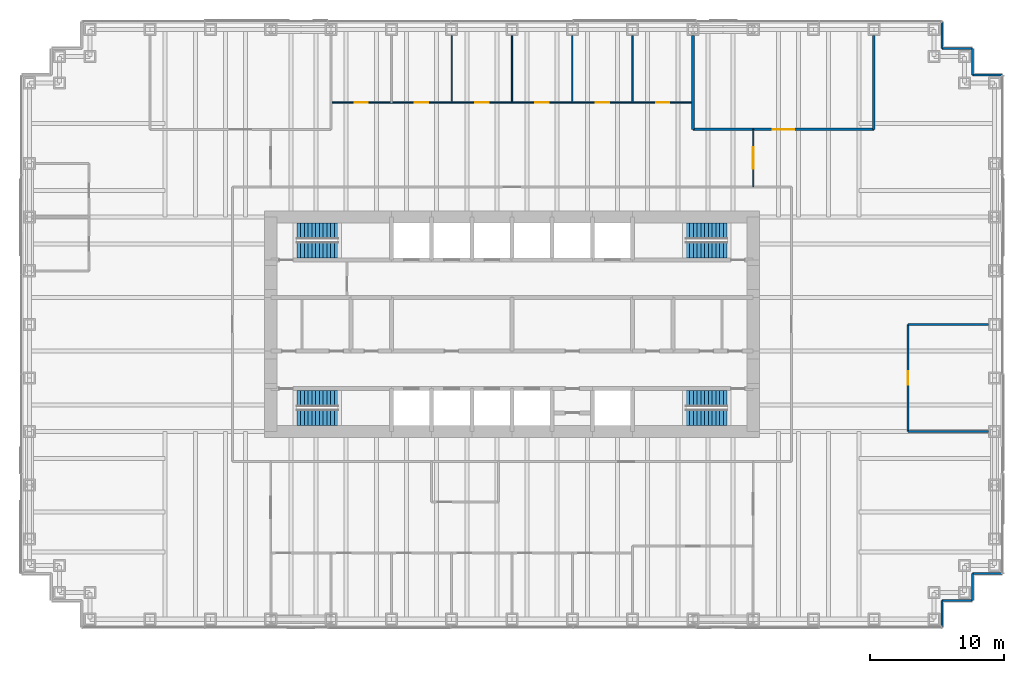
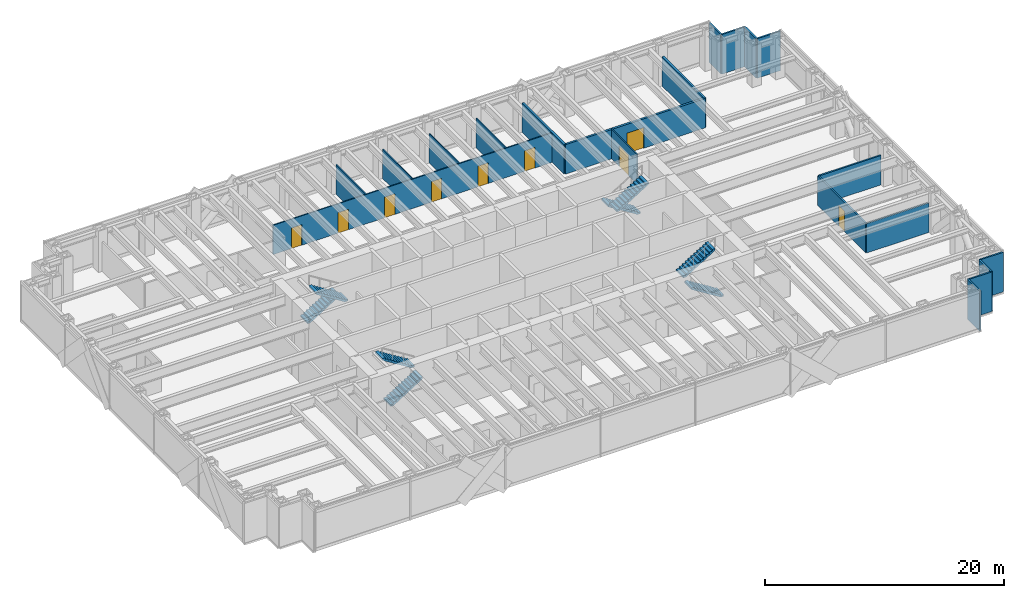
# One storey, part 14 of 15: 20 walls, 9 doors, 8 stair flights, 9 openings, 4 elements without a shape of their own.
"""IFC4 building model written with IfcOpenShell, lengths in metres."""

import ifcopenshell
import ifcopenshell.guid

model = None  # the IFC model being written
_history = None  # IfcOwnerHistory: only IFC2X3 demands one
_inside = {}  # id of a spatial element -> (the spatial element, [elements in it])
_under = {}  # id of a project, library or spatial element -> (it, [spatial elements below it])
_declared = {}  # id of a project -> (the project, [libraries it declares])
_typed = {}  # id of a type object -> (the type object, [elements of that type])
_made_of = {}  # id of a material, layer set ... -> (it, [elements and type objects made of it])


def new_model(schema):
    """Start an empty IFC model of exactly this schema.

    Asked for "IFC4X3", IfcOpenShell would pick the latest addendum, in which some entities
    have other attributes; the version numbers below select the first issue.
    IFC2X3 requires an IfcOwnerHistory on every rooted entity: one is made here for all.
    """
    global model, _history
    if schema == "IFC4X3":
        model = ifcopenshell.file(schema_version=(4, 3, 0, 0))
    else:
        model = ifcopenshell.file(schema=schema)
    _inside.clear()
    _under.clear()
    _declared.clear()
    _typed.clear()
    _made_of.clear()
    _history = None
    if model.schema == "IFC2X3":
        org = make("IfcOrganization", Name="unknown")
        user = make(
            "IfcPersonAndOrganization",
            ThePerson=make("IfcPerson", FamilyName="unknown"),
            TheOrganization=org,
        )
        app = make(
            "IfcApplication",
            ApplicationDeveloper=org,
            Version="unknown",
            ApplicationFullName="unknown",
            ApplicationIdentifier="unknown",
        )
        _history = make(
            "IfcOwnerHistory",
            OwningUser=user,
            OwningApplication=app,
            ChangeAction="ADDED",
            CreationDate=0,
        )
    return model


def make(cls, **values):
    """One entity of the class cls with the attributes given. An attribute that is None is left unset."""
    return model.create_entity(
        cls, **{name: value for name, value in values.items() if value is not None}
    )


def rooted(cls, **values):
    """An entity with a GlobalId (a new one), such as an element, a storey or a relation."""
    return make(cls, GlobalId=ifcopenshell.guid.new(), OwnerHistory=_history, **values)


def si_unit(unit_type, name, prefix=None):
    """IfcSIUnit, for example si_unit("LENGTHUNIT", "METRE", prefix="MILLI")."""
    return make("IfcSIUnit", UnitType=unit_type, Prefix=prefix, Name=name)


def assignment(units):
    """IfcUnitAssignment: the units of a project."""
    return None if units is None else make("IfcUnitAssignment", Units=units)


def point(xyz):
    """IfcCartesianPoint."""
    return None if xyz is None else make("IfcCartesianPoint", Coordinates=xyz)


def direction(xyz):
    """IfcDirection."""
    return None if xyz is None else make("IfcDirection", DirectionRatios=xyz)


def frame(location, z_axis=None, x_axis=None):
    """IfcAxis2Placement3D, a coordinate frame: its origin and axes. An axis left out is left unset."""
    return make(
        "IfcAxis2Placement3D",
        Location=point(location),
        Axis=direction(z_axis),
        RefDirection=direction(x_axis),
    )


def frame_2d(location, x_axis=None):
    """IfcAxis2Placement2D, a coordinate frame in the plane: its origin and x axis."""
    return make(
        "IfcAxis2Placement2D", Location=point(location), RefDirection=direction(x_axis)
    )


def origin():
    """The frame at (0, 0, 0) with its axes left unset."""
    return frame((0.0, 0.0, 0.0))


def place(relative_to, where):
    """IfcLocalPlacement: puts the frame where relative to a parent placement (None: the world)."""
    return make(
        "IfcLocalPlacement", PlacementRelTo=relative_to, RelativePlacement=where
    )


def context(
    kind, dimensions, precision=None, world=None, true_north=None, identifier=None
):
    """IfcGeometricRepresentationContext, for example the 3D "Model" context."""
    return make(
        "IfcGeometricRepresentationContext",
        ContextIdentifier=identifier,
        ContextType=kind,
        CoordinateSpaceDimension=dimensions,
        Precision=precision,
        WorldCoordinateSystem=world,
        TrueNorth=true_north,
    )


def subcontext(parent, identifier, kind, view, scale=None):
    """IfcGeometricRepresentationSubContext, for example "Body" below "Model"."""
    return make(
        "IfcGeometricRepresentationSubContext",
        ContextIdentifier=identifier,
        ContextType=kind,
        ParentContext=parent,
        TargetScale=scale,
        TargetView=view,
    )


def project(units=None, contexts=None):
    """IfcProject with its units and contexts."""
    return rooted(
        "IfcProject",
        Name="project",
        RepresentationContexts=contexts,
        UnitsInContext=assignment(units),
    )


def spatial(cls, under=None, at=None, **own):
    """A site, building, storey or space (cls), placed at a placement, below another one or the project."""
    s = rooted(cls, ObjectPlacement=at, **own)
    if under is not None:
        _under.setdefault(under.id(), (under, []))[1].append(s)
    return s


def polyline(points):
    """IfcPolyline through the points."""
    return make("IfcPolyline", Points=[point(p) for p in points])


def profile(cls, at=None, kind="AREA", **sizes):
    """A parametric profile (cls). Its sizes go by their IFC names, for example OverallWidth=200.0."""
    return make(cls, ProfileType=kind, Position=at, **sizes)


def rectangle(**sizes):
    """IfcRectangleProfileDef."""
    return profile("IfcRectangleProfileDef", **sizes)


def outline(outer, holes=None, kind="AREA"):
    """IfcArbitraryClosedProfileDef: a profile drawn as a closed curve; with holes, ...WithVoids."""
    if holes is None:
        return make("IfcArbitraryClosedProfileDef", ProfileType=kind, OuterCurve=outer)
    return make(
        "IfcArbitraryProfileDefWithVoids",
        ProfileType=kind,
        OuterCurve=outer,
        InnerCurves=holes,
    )


def extrude(swept, where, along, depth):
    """IfcExtrudedAreaSolid: the profile swept, set in the frame where, extruded along a direction by depth."""
    return make(
        "IfcExtrudedAreaSolid",
        SweptArea=swept,
        Position=where,
        ExtrudedDirection=direction(along),
        Depth=depth,
    )


def shape(context_of_items, identifier, shape_type, items):
    """IfcShapeRepresentation: the items that make up one representation, for example the "Body"."""
    return make(
        "IfcShapeRepresentation",
        ContextOfItems=context_of_items,
        RepresentationIdentifier=identifier,
        RepresentationType=shape_type,
        Items=items,
    )


def material(Name=None, Category=None):
    """IfcMaterial."""
    return make("IfcMaterial", Name=Name, Category=Category)


def layer(
    of_material, thickness, ventilated=None, Name=None, Category=None, Priority=None
):
    """IfcMaterialLayer: one layer of a wall or slab, of a material (None: an air gap)."""
    return make(
        "IfcMaterialLayer",
        Material=of_material,
        LayerThickness=thickness,
        IsVentilated=ventilated,
        Name=Name,
        Category=Category,
        Priority=Priority,
    )


def layer_set(layers, Name=None):
    """IfcMaterialLayerSet."""
    return make("IfcMaterialLayerSet", MaterialLayers=layers, LayerSetName=Name)


def made_of(thing, what):
    """Note that an element or type object is made of a material, layer set ...; save() writes the relation."""
    if what is not None:
        _made_of.setdefault(what.id(), (what, []))[1].append(thing)
    return thing


def type_object(cls, material=None, **own):
    """A type object (cls), such as IfcWallType, which elements share."""
    return made_of(rooted(cls, **own), material)


def element(
    cls,
    number,
    at=None,
    inside=None,
    cuts=None,
    type_object=None,
    material=None,
    context=None,
    identifier="Body",
    shape_type=None,
    held_by="IfcProductDefinitionShape",
    body=None,
    shapes=None,
    **own,
):
    """One element of the class cls, such as IfcWall. Its Tag is "e" and its number.

    at: its placement. inside: the storey or other place that contains it. cuts: it is an
    opening in that element (IfcRelVoidsElement). A single representation is given by context,
    identifier, shape_type and body (its items); several are given by shapes. held_by: the class
    of the entity that holds the representations. save() writes the other relations.
    """
    e = rooted(cls, Tag="e%d" % number, ObjectPlacement=at, **own)
    if body is not None:
        shapes = [shape(context, identifier, shape_type, body)]
    if shapes is not None:
        e.Representation = make(held_by, Representations=shapes)
    if inside is not None:
        _inside.setdefault(inside.id(), (inside, []))[1].append(e)
    if cuts is not None:
        rooted(
            "IfcRelVoidsElement", RelatingBuildingElement=cuts, RelatedOpeningElement=e
        )
    if type_object is not None:
        _typed.setdefault(type_object.id(), (type_object, []))[1].append(e)
    return made_of(e, material)


def fill(opening, filler):
    """IfcRelFillsElement: the door or window that sits in an opening."""
    return rooted(
        "IfcRelFillsElement",
        RelatingOpeningElement=opening,
        RelatedBuildingElement=filler,
    )


def aggregate(whole, parts):
    """IfcRelAggregates: a whole, such as a stair, and the parts it consists of."""
    return rooted("IfcRelAggregates", RelatingObject=whole, RelatedObjects=parts)


def save(model, path):
    """Write the relations noted so far, then the file.

    IfcRelAggregates (storeys below a building ...), IfcRelContainedInSpatialStructure (elements
    in a storey), IfcRelDefinesByType, IfcRelAssociatesMaterial and IfcRelDeclares: one each for
    every whole, place, type object, material and project.
    """
    for whole, parts in _under.values():
        aggregate(whole, parts)
    for where, things in _inside.values():
        rooted(
            "IfcRelContainedInSpatialStructure",
            RelatedElements=things,
            RelatingStructure=where,
        )
    for kind, things in _typed.values():
        rooted("IfcRelDefinesByType", RelatedObjects=things, RelatingType=kind)
    for what, things in _made_of.values():
        rooted("IfcRelAssociatesMaterial", RelatedObjects=things, RelatingMaterial=what)
    for by, libraries in _declared.values():
        rooted("IfcRelDeclares", RelatingContext=by, RelatedDefinitions=libraries)
    model.write(path)


model = new_model("IFC4")

# Units and contexts
model_context = context("Model", 3, precision=1e-05, world=origin(), true_north=direction((0.0, 1.0)))
body_context = subcontext(model_context, "Body", "Model", "MODEL_VIEW")
ifc_project = project(units=[si_unit("LENGTHUNIT", "METRE"), si_unit("AREAUNIT", "SQUARE_METRE"), si_unit("VOLUMEUNIT", "CUBIC_METRE"), si_unit("PLANEANGLEUNIT", "RADIAN"), si_unit("MASSUNIT", "GRAM", prefix="KILO")], contexts=[model_context])

# Site, building, storey
site_placement = place(None, origin())
site = spatial("IfcSite", under=ifc_project, at=site_placement, CompositionType="ELEMENT")
building_placement = place(site_placement, origin())
building = spatial("IfcBuilding", under=site, at=building_placement, Name="Rheinbord Bourse Tower", CompositionType="ELEMENT")
storey_placement = place(building_placement, frame((0.0, 0.0, 108.89990234375)))
storey = spatial("IfcBuildingStorey", under=building, at=storey_placement, Name="L23", CompositionType="ELEMENT", Elevation=108.89990234375)

# Wall, opening, door
ifc_material_1 = material(Name="Acoustic gypsum board partition", Category="gypsum board")
ifc_layer_1 = layer(ifc_material_1, 0.199951171875)
ifc_layer_set_1 = layer_set([ifc_layer_1], Name="ACOUSTIC PARTITION 200")
wall_type_1 = type_object("IfcWallType", Name="ACOUSTIC PARTITION 200", PredefinedType="PARTITIONING", material=ifc_layer_set_1)
wall_1_placement = place(storey_placement, frame((49.5, 38.550048828125, 0.0), z_axis=(0.0, 0.0, 1.0), x_axis=(1.0, 0.0, 0.0)))
wall_1 = element("IfcWall", 1, at=wall_1_placement, inside=storey, type_object=wall_type_1, Name="Partition L23-14", PredefinedType="PARTITIONING", context=body_context, shape_type="SweptSolid", body=[
    extrude(rectangle(XDim=13.5, YDim=0.199951171875, at=frame_2d((6.75, 0.0))), origin(), (0.0, 0.0, 1.0), 3.0),
])
opening_1_placement = place(wall_1_placement, frame((5.949951171875, 0.0, 0.0)))
opening_1 = element("IfcOpeningElement", 2, at=opening_1_placement, cuts=wall_1, Name="Opening 23D13", PredefinedType="OPENING", context=body_context, shape_type="SweptSolid", body=[
    extrude(rectangle(XDim=1.60009765625, YDim=2.10009765625, at=frame_2d((0.800048828125, 1.050048828125))), frame((0.0, 0.10986328125, 0.0), z_axis=(0.0, -1.0, 0.0), x_axis=(1.0, 0.0, 0.0)), (0.0, 0.0, 1.0), 0.219970703125),
])
ifc_material_2 = material(Name="Timber door", Category="wood")
door_type_1 = type_object("IfcDoorType", Name="DOUBLE ROOM DOOR 1600", OperationType="DOUBLE_DOOR_DOUBLE_SWING", PredefinedType="DOOR", material=ifc_material_2)
door_1_placement = place(opening_1_placement, origin())
door_1 = element("IfcDoor", 3, at=door_1_placement, inside=storey, type_object=door_type_1, Name="Conference room door L23", OperationType="SINGLE_SWING_LEFT", OverallHeight=2.10009765625, OverallWidth=1.60009765625, PredefinedType="DOOR", context=body_context, shape_type="SweptSolid", body=[
    extrude(rectangle(XDim=1.60009765625, YDim=2.10009765625, at=frame_2d((0.800048828125, 1.050048828125))), frame((0.0, 0.02490234375, 0.0), z_axis=(0.0, -1.0, 0.0), x_axis=(1.0, 0.0, 0.0)), (0.0, 0.0, 1.0), 0.050048828125),
])
fill(opening_1, door_1)

# Walls
for number, where, z_axis, x_axis, name in (
    (4, (49.5, 38.550048828125, 0.0), (0.0, 0.0, 1.0), (0.0, 1.0, 0.0), "Partition L23-36"),
    (5, (63.0, 38.550048828125, 0.0), (0.0, 0.0, 1.0), (0.0, 1.0, 0.0), "Partition L23-41"),
):
    element("IfcWall", number, at=place(storey_placement, frame(where, z_axis=z_axis, x_axis=x_axis)), inside=storey, type_object=wall_type_1, Name=name, PredefinedType="PARTITIONING", context=body_context, shape_type="SweptSolid", body=[
        extrude(rectangle(XDim=7.0, YDim=0.199951171875, at=frame_2d((3.5, 0.0))), origin(), (0.0, 0.0, 1.0), 3.0),
    ])
ifc_material_3 = material(Name="Black metal rainscreen panel", Category="aluminium")
ifc_layer_2 = layer(ifc_material_3, 0.14990234375)
ifc_layer_set_2 = layer_set([ifc_layer_2], Name="CORNER PIER CLADDING 150")
wall_type_2 = type_object("IfcWallType", Name="CORNER PIER CLADDING 150", PredefinedType="ELEMENTEDWALL", material=ifc_layer_set_2)
wall_2_placement = place(storey_placement, frame((68.10009765625, 1.39990234375, 0.0), z_axis=(0.0, 0.0, 1.0), x_axis=(0.0, 1.0, 0.0)))
element("IfcWall", 6, at=wall_2_placement, inside=storey, type_object=wall_type_2, Name="Corner pier cladding L23 2", PredefinedType="ELEMENTEDWALL", context=body_context, shape_type="SweptSolid", body=[
    extrude(rectangle(XDim=2.0, YDim=0.14990234375, at=frame_2d((1.0, 0.0))), origin(), (0.0, 0.0, 1.0), 4.0400390625),
])
wall_3_placement = place(storey_placement, frame((68.10009765625, 3.39990234375, 0.0), z_axis=(0.0, 0.0, 1.0), x_axis=(1.0, 0.0, 0.0)))
element("IfcWall", 7, at=wall_3_placement, inside=storey, type_object=wall_type_2, Name="Corner pier cladding L23 3", PredefinedType="ELEMENTEDWALL", context=body_context, shape_type="SweptSolid", body=[
    extrude(rectangle(XDim=2.25, YDim=0.14990234375, at=frame_2d((1.125, 0.0))), origin(), (0.0, 0.0, 1.0), 4.0400390625),
])
wall_4_placement = place(storey_placement, frame((70.35009765625, 3.39990234375, 0.0), z_axis=(0.0, 0.0, 1.0), x_axis=(0.0, 1.0, 0.0)))
element("IfcWall", 8, at=wall_4_placement, inside=storey, type_object=wall_type_2, Name="Corner pier cladding L23 4", PredefinedType="ELEMENTEDWALL", context=body_context, shape_type="SweptSolid", body=[
    extrude(rectangle(XDim=2.0, YDim=0.14990234375, at=frame_2d((1.0, 0.0))), origin(), (0.0, 0.0, 1.0), 4.0400390625),
])
for number, where, z_axis, x_axis, name in (
    (9, (70.35009765625, 5.39990234375, 0.0), (0.0, 0.0, 1.0), (1.0, 0.0, 0.0), "Corner pier cladding L23 5"),
    (10, (72.60009765625, 42.60009765625, 0.0), (0.0, 0.0, 1.0), (-1.0, 0.0, 0.0), "Corner pier cladding L23 7"),
):
    element("IfcWall", number, at=place(storey_placement, frame(where, z_axis=z_axis, x_axis=x_axis)), inside=storey, type_object=wall_type_2, Name=name, PredefinedType="ELEMENTEDWALL", context=body_context, shape_type="SweptSolid", body=[
        extrude(rectangle(XDim=2.25, YDim=0.14990234375, at=frame_2d((1.125, 0.0))), origin(), (0.0, 0.0, 1.0), 4.0400390625),
    ])
wall_5_placement = place(storey_placement, frame((70.35009765625, 42.60009765625, 0.0), z_axis=(0.0, 0.0, 1.0), x_axis=(0.0, 1.0, 0.0)))
element("IfcWall", 11, at=wall_5_placement, inside=storey, type_object=wall_type_2, Name="Corner pier cladding L23 8", PredefinedType="ELEMENTEDWALL", context=body_context, shape_type="SweptSolid", body=[
    extrude(rectangle(XDim=2.0, YDim=0.14990234375, at=frame_2d((1.0, 0.0))), origin(), (0.0, 0.0, 1.0), 4.0400390625),
])
wall_6_placement = place(storey_placement, frame((70.35009765625, 44.60009765625, 0.0), z_axis=(0.0, 0.0, 1.0), x_axis=(-1.0, 0.0, 0.0)))
element("IfcWall", 12, at=wall_6_placement, inside=storey, type_object=wall_type_2, Name="Corner pier cladding L23 9", PredefinedType="ELEMENTEDWALL", context=body_context, shape_type="SweptSolid", body=[
    extrude(rectangle(XDim=2.25, YDim=0.14990234375, at=frame_2d((1.125, 0.0))), origin(), (0.0, 0.0, 1.0), 4.0400390625),
])
wall_7_placement = place(storey_placement, frame((68.10009765625, 44.60009765625, 0.0), z_axis=(0.0, 0.0, 1.0), x_axis=(0.0, 1.0, 0.0)))
element("IfcWall", 13, at=wall_7_placement, inside=storey, type_object=wall_type_2, Name="Corner pier cladding L23 10", PredefinedType="ELEMENTEDWALL", context=body_context, shape_type="SweptSolid", body=[
    extrude(rectangle(XDim=2.0, YDim=0.14990234375, at=frame_2d((1.0, 0.0))), origin(), (0.0, 0.0, 1.0), 4.0400390625),
])

# Wall, openings, doors
ifc_material_4 = material(Name="Toughened laminated glass partition", Category="glass")
ifc_layer_3 = layer(ifc_material_4, 0.10009765625)
ifc_layer_set_3 = layer_set([ifc_layer_3], Name="GLAZED PARTITION 100")
wall_type_3 = type_object("IfcWallType", Name="GLAZED PARTITION 100", PredefinedType="PARTITIONING", material=ifc_layer_set_3)
wall_8_placement = place(storey_placement, frame((22.5, 40.550048828125, 0.0), z_axis=(0.0, 0.0, 1.0), x_axis=(1.0, 0.0, 0.0)))
wall_8 = element("IfcWall", 14, at=wall_8_placement, inside=storey, type_object=wall_type_3, Name="Partition L23-15", PredefinedType="PARTITIONING", context=body_context, shape_type="SweptSolid", body=[
    extrude(rectangle(XDim=27.0, YDim=0.10009765625, at=frame_2d((13.5, 0.0))), origin(), (0.0, 0.0, 1.0), 3.0),
])
opening_2_placement = place(wall_8_placement, frame((1.75, 0.0, 0.0)))
opening_2 = element("IfcOpeningElement", 15, at=opening_2_placement, cuts=wall_8, Name="Opening 23D14", PredefinedType="OPENING", context=body_context, shape_type="SweptSolid", body=[
    extrude(rectangle(XDim=1.0, YDim=2.10009765625, at=frame_2d((0.5, 1.050048828125))), frame((0.0, 0.06005859375, 0.0), z_axis=(0.0, -1.0, 0.0), x_axis=(1.0, 0.0, 0.0)), (0.0, 0.0, 1.0), 0.1201171875),
])
opening_3_placement = place(wall_8_placement, frame((6.25, 0.0, 0.0)))
opening_3 = element("IfcOpeningElement", 16, at=opening_3_placement, cuts=wall_8, Name="Opening 23D15", PredefinedType="OPENING", context=body_context, shape_type="SweptSolid", body=[
    extrude(rectangle(XDim=1.0, YDim=2.10009765625, at=frame_2d((0.5, 1.050048828125))), frame((0.0, 0.06005859375, 0.0), z_axis=(0.0, -1.0, 0.0), x_axis=(1.0, 0.0, 0.0)), (0.0, 0.0, 1.0), 0.1201171875),
])
opening_4_placement = place(wall_8_placement, frame((10.75, 0.0, 0.0)))
opening_4 = element("IfcOpeningElement", 17, at=opening_4_placement, cuts=wall_8, Name="Opening 23D16", PredefinedType="OPENING", context=body_context, shape_type="SweptSolid", body=[
    extrude(rectangle(XDim=1.0, YDim=2.10009765625, at=frame_2d((0.5, 1.050048828125))), frame((0.0, 0.06005859375, 0.0), z_axis=(0.0, -1.0, 0.0), x_axis=(1.0, 0.0, 0.0)), (0.0, 0.0, 1.0), 0.1201171875),
])
opening_5_placement = place(wall_8_placement, frame((15.25, 0.0, 0.0)))
opening_5 = element("IfcOpeningElement", 18, at=opening_5_placement, cuts=wall_8, Name="Opening 23D17", PredefinedType="OPENING", context=body_context, shape_type="SweptSolid", body=[
    extrude(rectangle(XDim=1.0, YDim=2.10009765625, at=frame_2d((0.5, 1.050048828125))), frame((0.0, 0.06005859375, 0.0), z_axis=(0.0, -1.0, 0.0), x_axis=(1.0, 0.0, 0.0)), (0.0, 0.0, 1.0), 0.1201171875),
])
opening_6_placement = place(wall_8_placement, frame((19.75, 0.0, 0.0)))
opening_6 = element("IfcOpeningElement", 19, at=opening_6_placement, cuts=wall_8, Name="Opening 23D18", PredefinedType="OPENING", context=body_context, shape_type="SweptSolid", body=[
    extrude(rectangle(XDim=1.0, YDim=2.10009765625, at=frame_2d((0.5, 1.050048828125))), frame((0.0, 0.06005859375, 0.0), z_axis=(0.0, -1.0, 0.0), x_axis=(1.0, 0.0, 0.0)), (0.0, 0.0, 1.0), 0.1201171875),
])
opening_7_placement = place(wall_8_placement, frame((24.25, 0.0, 0.0)))
opening_7 = element("IfcOpeningElement", 20, at=opening_7_placement, cuts=wall_8, Name="Opening 23D19", PredefinedType="OPENING", context=body_context, shape_type="SweptSolid", body=[
    extrude(rectangle(XDim=1.0, YDim=2.10009765625, at=frame_2d((0.5, 1.050048828125))), frame((0.0, 0.06005859375, 0.0), z_axis=(0.0, -1.0, 0.0), x_axis=(1.0, 0.0, 0.0)), (0.0, 0.0, 1.0), 0.1201171875),
])
ifc_material_5 = material(Name="Timber door", Category="wood")
door_type_2 = type_object("IfcDoorType", Name="ROOM DOOR 1000", OperationType="SINGLE_SWING_LEFT", PredefinedType="DOOR", material=ifc_material_5)
door_2_placement = place(opening_2_placement, origin())
door_2 = element("IfcDoor", 21, at=door_2_placement, inside=storey, type_object=door_type_2, Name="Meeting room door L23", OperationType="SINGLE_SWING_LEFT", OverallHeight=2.10009765625, OverallWidth=1.0, PredefinedType="DOOR", context=body_context, shape_type="SweptSolid", body=[
    extrude(rectangle(XDim=1.0, YDim=2.10009765625, at=frame_2d((0.5, 1.050048828125))), frame((0.0, 0.02490234375, 0.0), z_axis=(0.0, -1.0, 0.0), x_axis=(1.0, 0.0, 0.0)), (0.0, 0.0, 1.0), 0.050048828125),
])
fill(opening_2, door_2)
door_3_placement = place(opening_3_placement, origin())
door_3 = element("IfcDoor", 22, at=door_3_placement, inside=storey, type_object=door_type_2, Name="Meeting room door L23", OperationType="SINGLE_SWING_LEFT", OverallHeight=2.10009765625, OverallWidth=1.0, PredefinedType="DOOR", context=body_context, shape_type="SweptSolid", body=[
    extrude(rectangle(XDim=1.0, YDim=2.10009765625, at=frame_2d((0.5, 1.050048828125))), frame((0.0, 0.02490234375, 0.0), z_axis=(0.0, -1.0, 0.0), x_axis=(1.0, 0.0, 0.0)), (0.0, 0.0, 1.0), 0.050048828125),
])
fill(opening_3, door_3)
door_4_placement = place(opening_4_placement, origin())
door_4 = element("IfcDoor", 23, at=door_4_placement, inside=storey, type_object=door_type_2, Name="Meeting room door L23", OperationType="SINGLE_SWING_LEFT", OverallHeight=2.10009765625, OverallWidth=1.0, PredefinedType="DOOR", context=body_context, shape_type="SweptSolid", body=[
    extrude(rectangle(XDim=1.0, YDim=2.10009765625, at=frame_2d((0.5, 1.050048828125))), frame((0.0, 0.02490234375, 0.0), z_axis=(0.0, -1.0, 0.0), x_axis=(1.0, 0.0, 0.0)), (0.0, 0.0, 1.0), 0.050048828125),
])
fill(opening_4, door_4)
door_5_placement = place(opening_5_placement, origin())
door_5 = element("IfcDoor", 24, at=door_5_placement, inside=storey, type_object=door_type_2, Name="Meeting room door L23", OperationType="SINGLE_SWING_RIGHT", OverallHeight=2.10009765625, OverallWidth=1.0, PredefinedType="DOOR", context=body_context, shape_type="SweptSolid", body=[
    extrude(rectangle(XDim=1.0, YDim=2.10009765625, at=frame_2d((0.5, 1.050048828125))), frame((0.0, 0.02490234375, 0.0), z_axis=(0.0, -1.0, 0.0), x_axis=(1.0, 0.0, 0.0)), (0.0, 0.0, 1.0), 0.050048828125),
])
fill(opening_5, door_5)
door_6_placement = place(opening_6_placement, origin())
door_6 = element("IfcDoor", 25, at=door_6_placement, inside=storey, type_object=door_type_2, Name="Meeting room door L23", OperationType="SINGLE_SWING_RIGHT", OverallHeight=2.10009765625, OverallWidth=1.0, PredefinedType="DOOR", context=body_context, shape_type="SweptSolid", body=[
    extrude(rectangle(XDim=1.0, YDim=2.10009765625, at=frame_2d((0.5, 1.050048828125))), frame((0.0, 0.02490234375, 0.0), z_axis=(0.0, -1.0, 0.0), x_axis=(1.0, 0.0, 0.0)), (0.0, 0.0, 1.0), 0.050048828125),
])
fill(opening_6, door_6)
door_7_placement = place(opening_7_placement, origin())
door_7 = element("IfcDoor", 26, at=door_7_placement, inside=storey, type_object=door_type_2, Name="Meeting room door L23", OperationType="SINGLE_SWING_RIGHT", OverallHeight=2.10009765625, OverallWidth=1.0, PredefinedType="DOOR", context=body_context, shape_type="SweptSolid", body=[
    extrude(rectangle(XDim=1.0, YDim=2.10009765625, at=frame_2d((0.5, 1.050048828125))), frame((0.0, 0.02490234375, 0.0), z_axis=(0.0, -1.0, 0.0), x_axis=(1.0, 0.0, 0.0)), (0.0, 0.0, 1.0), 0.050048828125),
])
fill(opening_7, door_7)

# Walls
for number, where, z_axis, x_axis, name in (
    (27, (31.5, 40.550048828125, 0.0), (0.0, 0.0, 1.0), (0.0, 1.0, 0.0), "Partition L23-28"),
    (28, (36.0, 40.550048828125, 0.0), (0.0, 0.0, 1.0), (0.0, 1.0, 0.0), "Partition L23-31"),
    (29, (40.5, 40.550048828125, 0.0), (0.0, 0.0, 1.0), (0.0, 1.0, 0.0), "Partition L23-33"),
    (30, (45.0, 40.550048828125, 0.0), (0.0, 0.0, 1.0), (0.0, 1.0, 0.0), "Partition L23-35"),
):
    element("IfcWall", number, at=place(storey_placement, frame(where, z_axis=z_axis, x_axis=x_axis)), inside=storey, type_object=wall_type_3, Name=name, PredefinedType="PARTITIONING", context=body_context, shape_type="SweptSolid", body=[
        extrude(rectangle(XDim=5.0, YDim=0.10009765625, at=frame_2d((2.5, 0.0))), origin(), (0.0, 0.0, 1.0), 3.0),
    ])

# Wall, opening, door
wall_9_placement = place(storey_placement, frame((54.0, 34.25, 0.0), z_axis=(0.0, 0.0, 1.0), x_axis=(0.0, 1.0, 0.0)))
wall_9 = element("IfcWall", 31, at=wall_9_placement, inside=storey, type_object=wall_type_3, Name="Partition L23-39", PredefinedType="PARTITIONING", context=body_context, shape_type="SweptSolid", body=[
    extrude(rectangle(XDim=4.300048828125, YDim=0.10009765625, at=frame_2d((2.14990234375, 0.0))), origin(), (0.0, 0.0, 1.0), 3.0),
])
opening_8_placement = place(wall_9_placement, frame((1.35009765625, 0.0, 0.0)))
opening_8 = element("IfcOpeningElement", 32, at=opening_8_placement, cuts=wall_9, Name="Opening 23D23", PredefinedType="OPENING", context=body_context, shape_type="SweptSolid", body=[
    extrude(rectangle(XDim=1.60009765625, YDim=2.10009765625, at=frame_2d((0.800048828125, 1.050048828125))), frame((0.0, 0.06005859375, 0.0), z_axis=(0.0, -1.0, 0.0), x_axis=(1.0, 0.0, 0.0)), (0.0, 0.0, 1.0), 0.1201171875),
])
door_8_placement = place(opening_8_placement, origin())
door_8 = element("IfcDoor", 33, at=door_8_placement, inside=storey, type_object=door_type_1, Name="Open area door L23", OperationType="SINGLE_SWING_LEFT", OverallHeight=2.10009765625, OverallWidth=1.60009765625, PredefinedType="DOOR", context=body_context, shape_type="SweptSolid", body=[
    extrude(rectangle(XDim=1.60009765625, YDim=2.10009765625, at=frame_2d((0.800048828125, 1.050048828125))), frame((0.0, 0.02490234375, 0.0), z_axis=(0.0, -1.0, 0.0), x_axis=(1.0, 0.0, 0.0)), (0.0, 0.0, 1.0), 0.050048828125),
])
fill(opening_8, door_8)

# Walls
ifc_material_6 = material(Name="Gypsum board partition", Category="gypsum board")
ifc_layer_4 = layer(ifc_material_6, 0.14990234375)
ifc_layer_set_4 = layer_set([ifc_layer_4], Name="PARTITION 150")
wall_type_4 = type_object("IfcWallType", Name="PARTITION 150", PredefinedType="PARTITIONING", material=ifc_layer_set_4)
for number, where, z_axis, x_axis, name in (
    (34, (65.550048828125, 16.0, 0.0), (0.0, 0.0, 1.0), (1.0, 0.0, 0.0), "Partition L23-07"),
    (35, (65.550048828125, 24.0, 0.0), (0.0, 0.0, 1.0), (1.0, 0.0, 0.0), "Partition L23-08"),
):
    element("IfcWall", number, at=place(storey_placement, frame(where, z_axis=z_axis, x_axis=x_axis)), inside=storey, type_object=wall_type_4, Name=name, PredefinedType="PARTITIONING", context=body_context, shape_type="SweptSolid", body=[
        extrude(rectangle(XDim=6.0, YDim=0.14990234375, at=frame_2d((3.0, 0.0))), origin(), (0.0, 0.0, 1.0), 3.0),
    ])

# Wall, opening, door
wall_10_placement = place(storey_placement, frame((65.550048828125, 16.0, 0.0), z_axis=(0.0, 0.0, 1.0), x_axis=(0.0, 1.0, 0.0)))
wall_10 = element("IfcWall", 36, at=wall_10_placement, inside=storey, type_object=wall_type_4, Name="Partition L23-42", PredefinedType="PARTITIONING", context=body_context, shape_type="SweptSolid", body=[
    extrude(rectangle(XDim=8.0, YDim=0.14990234375, at=frame_2d((4.0, 0.0))), origin(), (0.0, 0.0, 1.0), 3.0),
])
opening_9_placement = place(wall_10_placement, frame((3.5, 0.0, 0.0)))
opening_9 = element("IfcOpeningElement", 37, at=opening_9_placement, cuts=wall_10, Name="Opening 23D09", PredefinedType="OPENING", context=body_context, shape_type="SweptSolid", body=[
    extrude(rectangle(XDim=1.0, YDim=2.10009765625, at=frame_2d((0.5, 1.050048828125))), frame((0.0, 0.0849609375, 0.0), z_axis=(0.0, -1.0, 0.0), x_axis=(1.0, 0.0, 0.0)), (0.0, 0.0, 1.0), 0.169921875),
])
door_9_placement = place(opening_9_placement, origin())
door_9 = element("IfcDoor", 38, at=door_9_placement, inside=storey, type_object=door_type_2, Name="Pantry door L23", OperationType="SINGLE_SWING_LEFT", OverallHeight=2.10009765625, OverallWidth=1.0, PredefinedType="DOOR", context=body_context, shape_type="SweptSolid", body=[
    extrude(rectangle(XDim=1.0, YDim=2.10009765625, at=frame_2d((0.5, 1.050048828125))), frame((0.0, 0.02490234375, 0.0), z_axis=(0.0, -1.0, 0.0), x_axis=(1.0, 0.0, 0.0)), (0.0, 0.0, 1.0), 0.050048828125),
])
fill(opening_9, door_9)

# Stair, stair flights
ifc_material_7 = material(Name="Concrete C30/37", Category="concrete")
stair_type = type_object("IfcStairType", Name="CORE STAIR HALF TURN 4200", PredefinedType="HALF_TURN_STAIR", material=ifc_material_7)
stair_1_placement = place(storey_placement, origin())
stair_1 = element("IfcStair", 39, at=stair_1_placement, inside=storey, type_object=stair_type, Name="Stair ST1 L23, type CS6", PredefinedType="HALF_TURN_STAIR")
ifc_material_8 = material(Name="Concrete C30/37", Category="concrete")
stair_flight_type = type_object("IfcStairFlightType", Name="CORE STAIR FLIGHT 1200, 12 RISERS", PredefinedType="STRAIGHT", material=ifc_material_8)
stair_flight_1_placement = place(storey_placement, frame((19.949951171875, 17.050048828125, 0.0), z_axis=(0.0, 0.0, 1.0), x_axis=(1.0, 0.0, 0.0)))
stair_flight_1 = element("IfcStairFlight", 40, at=stair_flight_1_placement, type_object=stair_flight_type, Name="STAIR L23 ST1 F1", NumberOfRisers=12, NumberOfTreads=11, PredefinedType="STRAIGHT", RiserHeight=0.175, TreadLength=0.28, context=body_context, shape_type="SweptSolid", body=[
    extrude(outline(polyline([(0.0, 0.0), (0.0, 0.175048828125), (0.280029296875, 0.175048828125), (0.280029296875, 0.35009765625), (0.56005859375, 0.35009765625), (0.56005859375, 0.52490234375), (0.840087890625, 0.52490234375), (0.840087890625, 0.699951171875), (1.1201171875, 0.699951171875), (1.1201171875, 0.875), (1.39990234375, 0.875), (1.39990234375, 1.050048828125), (1.679931640625, 1.050048828125), (1.679931640625, 1.22509765625), (1.9599609375, 1.22509765625), (1.9599609375, 1.39990234375), (2.239990234375, 1.39990234375), (2.239990234375, 1.574951171875), (2.52001953125, 1.574951171875), (2.52001953125, 1.75), (2.800048828125, 1.75), (2.800048828125, 1.925048828125), (3.080078125, 1.925048828125), (3.080078125, 2.10009765625), (3.080078125, 1.748291015625), (0.28271484375, 0.0), (0.0, 0.0)])), frame((0.0, 0.60009765625, 0.0), z_axis=(0.0, -1.0, 0.0), x_axis=(1.0, 0.0, 0.0)), (0.0, 0.0, 1.0), 1.199951171875),
])
stair_flight_2_placement = place(storey_placement, frame((23.030029296875, 18.449951171875, 2.10009765625), z_axis=(0.0, 0.0, 1.0), x_axis=(-1.0, 0.0, 0.0)))
stair_flight_2 = element("IfcStairFlight", 41, at=stair_flight_2_placement, type_object=stair_flight_type, Name="STAIR L23 ST1 F2", NumberOfRisers=12, NumberOfTreads=11, PredefinedType="STRAIGHT", RiserHeight=0.175, TreadLength=0.28, context=body_context, shape_type="SweptSolid", body=[
    extrude(outline(polyline([(0.0, 0.0), (0.0, 0.175048828125), (0.280029296875, 0.175048828125), (0.280029296875, 0.35009765625), (0.56005859375, 0.35009765625), (0.56005859375, 0.52490234375), (0.840087890625, 0.52490234375), (0.840087890625, 0.699951171875), (1.1201171875, 0.699951171875), (1.1201171875, 0.875), (1.39990234375, 0.875), (1.39990234375, 1.050048828125), (1.679931640625, 1.050048828125), (1.679931640625, 1.22509765625), (1.9599609375, 1.22509765625), (1.9599609375, 1.39990234375), (2.239990234375, 1.39990234375), (2.239990234375, 1.574951171875), (2.52001953125, 1.574951171875), (2.52001953125, 1.75), (2.800048828125, 1.75), (2.800048828125, 1.925048828125), (3.080078125, 1.925048828125), (3.080078125, 2.10009765625), (3.080078125, 1.748291015625), (0.28271484375, 0.0), (0.0, 0.0)])), frame((0.0, 0.60009765625, 0.0), z_axis=(0.0, -1.0, 0.0), x_axis=(1.0, 0.0, 0.0)), (0.0, 0.0, 1.0), 1.199951171875),
])
aggregate(stair_1, [stair_flight_1, stair_flight_2])

stair_2_placement = place(storey_placement, origin())
stair_2 = element("IfcStair", 42, at=stair_2_placement, inside=storey, type_object=stair_type, Name="Stair ST2 L23, type CS6", PredefinedType="HALF_TURN_STAIR")
stair_flight_3_placement = place(storey_placement, frame((19.949951171875, 30.949951171875, 0.0), z_axis=(0.0, 0.0, 1.0), x_axis=(1.0, 0.0, 0.0)))
stair_flight_3 = element("IfcStairFlight", 43, at=stair_flight_3_placement, type_object=stair_flight_type, Name="STAIR L23 ST2 F1", NumberOfRisers=12, NumberOfTreads=11, PredefinedType="STRAIGHT", RiserHeight=0.175, TreadLength=0.28, context=body_context, shape_type="SweptSolid", body=[
    extrude(outline(polyline([(0.0, 0.0), (0.0, 0.175048828125), (0.280029296875, 0.175048828125), (0.280029296875, 0.35009765625), (0.56005859375, 0.35009765625), (0.56005859375, 0.52490234375), (0.840087890625, 0.52490234375), (0.840087890625, 0.699951171875), (1.1201171875, 0.699951171875), (1.1201171875, 0.875), (1.39990234375, 0.875), (1.39990234375, 1.050048828125), (1.679931640625, 1.050048828125), (1.679931640625, 1.22509765625), (1.9599609375, 1.22509765625), (1.9599609375, 1.39990234375), (2.239990234375, 1.39990234375), (2.239990234375, 1.574951171875), (2.52001953125, 1.574951171875), (2.52001953125, 1.75), (2.800048828125, 1.75), (2.800048828125, 1.925048828125), (3.080078125, 1.925048828125), (3.080078125, 2.10009765625), (3.080078125, 1.748291015625), (0.28271484375, 0.0), (0.0, 0.0)])), frame((0.0, 0.60009765625, 0.0), z_axis=(0.0, -1.0, 0.0), x_axis=(1.0, 0.0, 0.0)), (0.0, 0.0, 1.0), 1.199951171875),
])
stair_flight_4_placement = place(storey_placement, frame((23.030029296875, 29.550048828125, 2.10009765625), z_axis=(0.0, 0.0, 1.0), x_axis=(-1.0, 0.0, 0.0)))
stair_flight_4 = element("IfcStairFlight", 44, at=stair_flight_4_placement, type_object=stair_flight_type, Name="STAIR L23 ST2 F2", NumberOfRisers=12, NumberOfTreads=11, PredefinedType="STRAIGHT", RiserHeight=0.175, TreadLength=0.28, context=body_context, shape_type="SweptSolid", body=[
    extrude(outline(polyline([(0.0, 0.0), (0.0, 0.175048828125), (0.280029296875, 0.175048828125), (0.280029296875, 0.35009765625), (0.56005859375, 0.35009765625), (0.56005859375, 0.52490234375), (0.840087890625, 0.52490234375), (0.840087890625, 0.699951171875), (1.1201171875, 0.699951171875), (1.1201171875, 0.875), (1.39990234375, 0.875), (1.39990234375, 1.050048828125), (1.679931640625, 1.050048828125), (1.679931640625, 1.22509765625), (1.9599609375, 1.22509765625), (1.9599609375, 1.39990234375), (2.239990234375, 1.39990234375), (2.239990234375, 1.574951171875), (2.52001953125, 1.574951171875), (2.52001953125, 1.75), (2.800048828125, 1.75), (2.800048828125, 1.925048828125), (3.080078125, 1.925048828125), (3.080078125, 2.10009765625), (3.080078125, 1.748291015625), (0.28271484375, 0.0), (0.0, 0.0)])), frame((0.0, 0.60009765625, 0.0), z_axis=(0.0, -1.0, 0.0), x_axis=(1.0, 0.0, 0.0)), (0.0, 0.0, 1.0), 1.199951171875),
])
aggregate(stair_2, [stair_flight_3, stair_flight_4])

stair_3_placement = place(storey_placement, origin())
stair_3 = element("IfcStair", 45, at=stair_3_placement, inside=storey, type_object=stair_type, Name="Stair ST3 L23, type CS6", PredefinedType="HALF_TURN_STAIR")
stair_flight_5_placement = place(storey_placement, frame((52.050048828125, 17.050048828125, 0.0), z_axis=(0.0, 0.0, 1.0), x_axis=(-1.0, 0.0, 0.0)))
stair_flight_5 = element("IfcStairFlight", 46, at=stair_flight_5_placement, type_object=stair_flight_type, Name="STAIR L23 ST3 F1", NumberOfRisers=12, NumberOfTreads=11, PredefinedType="STRAIGHT", RiserHeight=0.175, TreadLength=0.28, context=body_context, shape_type="SweptSolid", body=[
    extrude(outline(polyline([(0.0, 0.0), (0.0, 0.175048828125), (0.280029296875, 0.175048828125), (0.280029296875, 0.35009765625), (0.56005859375, 0.35009765625), (0.56005859375, 0.52490234375), (0.840087890625, 0.52490234375), (0.840087890625, 0.699951171875), (1.1201171875, 0.699951171875), (1.1201171875, 0.875), (1.39990234375, 0.875), (1.39990234375, 1.050048828125), (1.679931640625, 1.050048828125), (1.679931640625, 1.22509765625), (1.9599609375, 1.22509765625), (1.9599609375, 1.39990234375), (2.239990234375, 1.39990234375), (2.239990234375, 1.574951171875), (2.52001953125, 1.574951171875), (2.52001953125, 1.75), (2.800048828125, 1.75), (2.800048828125, 1.925048828125), (3.080078125, 1.925048828125), (3.080078125, 2.10009765625), (3.080078125, 1.748291015625), (0.28271484375, 0.0), (0.0, 0.0)])), frame((0.0, 0.60009765625, 0.0), z_axis=(0.0, -1.0, 0.0), x_axis=(1.0, 0.0, 0.0)), (0.0, 0.0, 1.0), 1.199951171875),
])
stair_flight_6_placement = place(storey_placement, frame((48.969970703125, 18.449951171875, 2.10009765625), z_axis=(0.0, 0.0, 1.0), x_axis=(1.0, 0.0, 0.0)))
stair_flight_6 = element("IfcStairFlight", 47, at=stair_flight_6_placement, type_object=stair_flight_type, Name="STAIR L23 ST3 F2", NumberOfRisers=12, NumberOfTreads=11, PredefinedType="STRAIGHT", RiserHeight=0.175, TreadLength=0.28, context=body_context, shape_type="SweptSolid", body=[
    extrude(outline(polyline([(0.0, 0.0), (0.0, 0.175048828125), (0.280029296875, 0.175048828125), (0.280029296875, 0.35009765625), (0.56005859375, 0.35009765625), (0.56005859375, 0.52490234375), (0.840087890625, 0.52490234375), (0.840087890625, 0.699951171875), (1.1201171875, 0.699951171875), (1.1201171875, 0.875), (1.39990234375, 0.875), (1.39990234375, 1.050048828125), (1.679931640625, 1.050048828125), (1.679931640625, 1.22509765625), (1.9599609375, 1.22509765625), (1.9599609375, 1.39990234375), (2.239990234375, 1.39990234375), (2.239990234375, 1.574951171875), (2.52001953125, 1.574951171875), (2.52001953125, 1.75), (2.800048828125, 1.75), (2.800048828125, 1.925048828125), (3.080078125, 1.925048828125), (3.080078125, 2.10009765625), (3.080078125, 1.748291015625), (0.28271484375, 0.0), (0.0, 0.0)])), frame((0.0, 0.60009765625, 0.0), z_axis=(0.0, -1.0, 0.0), x_axis=(1.0, 0.0, 0.0)), (0.0, 0.0, 1.0), 1.199951171875),
])
aggregate(stair_3, [stair_flight_5, stair_flight_6])

stair_4_placement = place(storey_placement, origin())
stair_4 = element("IfcStair", 48, at=stair_4_placement, inside=storey, type_object=stair_type, Name="Stair ST4 L23, type CS6", PredefinedType="HALF_TURN_STAIR")
stair_flight_7_placement = place(storey_placement, frame((52.050048828125, 30.949951171875, 0.0), z_axis=(0.0, 0.0, 1.0), x_axis=(-1.0, 0.0, 0.0)))
stair_flight_7 = element("IfcStairFlight", 49, at=stair_flight_7_placement, type_object=stair_flight_type, Name="STAIR L23 ST4 F1", NumberOfRisers=12, NumberOfTreads=11, PredefinedType="STRAIGHT", RiserHeight=0.175, TreadLength=0.28, context=body_context, shape_type="SweptSolid", body=[
    extrude(outline(polyline([(0.0, 0.0), (0.0, 0.175048828125), (0.280029296875, 0.175048828125), (0.280029296875, 0.35009765625), (0.56005859375, 0.35009765625), (0.56005859375, 0.52490234375), (0.840087890625, 0.52490234375), (0.840087890625, 0.699951171875), (1.1201171875, 0.699951171875), (1.1201171875, 0.875), (1.39990234375, 0.875), (1.39990234375, 1.050048828125), (1.679931640625, 1.050048828125), (1.679931640625, 1.22509765625), (1.9599609375, 1.22509765625), (1.9599609375, 1.39990234375), (2.239990234375, 1.39990234375), (2.239990234375, 1.574951171875), (2.52001953125, 1.574951171875), (2.52001953125, 1.75), (2.800048828125, 1.75), (2.800048828125, 1.925048828125), (3.080078125, 1.925048828125), (3.080078125, 2.10009765625), (3.080078125, 1.748291015625), (0.28271484375, 0.0), (0.0, 0.0)])), frame((0.0, 0.60009765625, 0.0), z_axis=(0.0, -1.0, 0.0), x_axis=(1.0, 0.0, 0.0)), (0.0, 0.0, 1.0), 1.199951171875),
])
stair_flight_8_placement = place(storey_placement, frame((48.969970703125, 29.550048828125, 2.10009765625), z_axis=(0.0, 0.0, 1.0), x_axis=(1.0, 0.0, 0.0)))
stair_flight_8 = element("IfcStairFlight", 50, at=stair_flight_8_placement, type_object=stair_flight_type, Name="STAIR L23 ST4 F2", NumberOfRisers=12, NumberOfTreads=11, PredefinedType="STRAIGHT", RiserHeight=0.175, TreadLength=0.28, context=body_context, shape_type="SweptSolid", body=[
    extrude(outline(polyline([(0.0, 0.0), (0.0, 0.175048828125), (0.280029296875, 0.175048828125), (0.280029296875, 0.35009765625), (0.56005859375, 0.35009765625), (0.56005859375, 0.52490234375), (0.840087890625, 0.52490234375), (0.840087890625, 0.699951171875), (1.1201171875, 0.699951171875), (1.1201171875, 0.875), (1.39990234375, 0.875), (1.39990234375, 1.050048828125), (1.679931640625, 1.050048828125), (1.679931640625, 1.22509765625), (1.9599609375, 1.22509765625), (1.9599609375, 1.39990234375), (2.239990234375, 1.39990234375), (2.239990234375, 1.574951171875), (2.52001953125, 1.574951171875), (2.52001953125, 1.75), (2.800048828125, 1.75), (2.800048828125, 1.925048828125), (3.080078125, 1.925048828125), (3.080078125, 2.10009765625), (3.080078125, 1.748291015625), (0.28271484375, 0.0), (0.0, 0.0)])), frame((0.0, 0.60009765625, 0.0), z_axis=(0.0, -1.0, 0.0), x_axis=(1.0, 0.0, 0.0)), (0.0, 0.0, 1.0), 1.199951171875),
])
aggregate(stair_4, [stair_flight_7, stair_flight_8])

save(model, "model.ifc")
